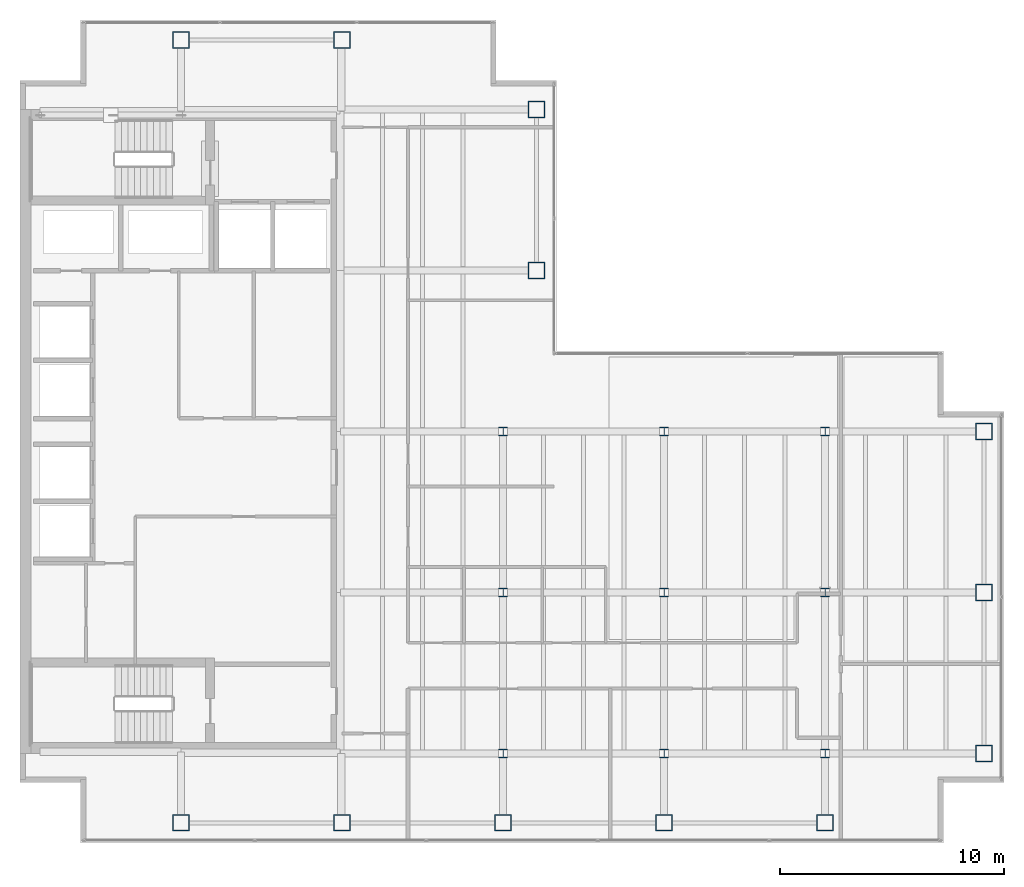
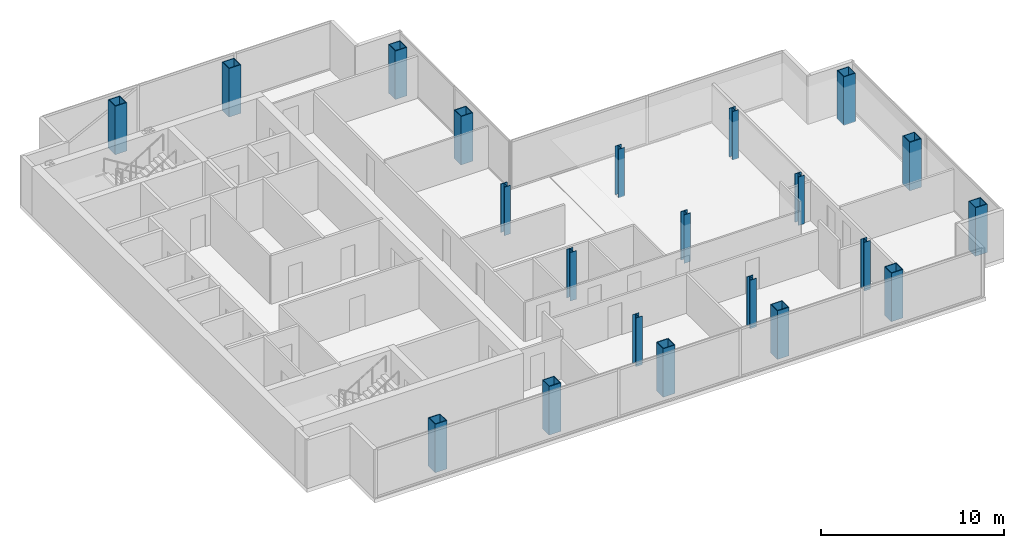
# One storey, part 1 of 23: 21 columns.
"""IFC4 building model written with IfcOpenShell, lengths in metres."""

from ifc_helpers import new_model, si_unit, direction, frame, origin, origin_2d, place, context, subcontext, project, spatial, hollow_rectangle, i_section, extrude, material, material_profile, profile_set, type_object, element, save


model = new_model("IFC4")

# Units and contexts
model_context = context("Model", 3, precision=1e-05, world=origin(), true_north=direction((0.0, 1.0)))
body_context = subcontext(model_context, "Body", "Model", "MODEL_VIEW")
ifc_project = project(units=[si_unit("LENGTHUNIT", "METRE"), si_unit("AREAUNIT", "SQUARE_METRE"), si_unit("VOLUMEUNIT", "CUBIC_METRE"), si_unit("PLANEANGLEUNIT", "RADIAN"), si_unit("MASSUNIT", "GRAM", prefix="KILO")], contexts=[model_context])

# Site, building, storey
site_placement = place(None, origin())
site = spatial("IfcSite", under=ifc_project, at=site_placement, CompositionType="ELEMENT")
building_placement = place(site_placement, origin())
building = spatial("IfcBuilding", under=site, at=building_placement, Name="Cobrela Telecom Tower", CompositionType="ELEMENT")
storey_placement = place(building_placement, frame((0.0, 0.0, 225.75)))
storey = spatial("IfcBuildingStorey", under=building, at=storey_placement, Name="L58", CompositionType="ELEMENT", Elevation=225.75)

# Columns
ifc_material_1 = material(Name="Steel ASTM A992 Grade 50", Category="steel")
ifc_material_profile_1 = material_profile(ifc_material_1, i_section(OverallWidth=0.39892578125, OverallDepth=0.39404296875, WebThickness=0.022705078125, FlangeThickness=0.03662109375, FilletRadius=0.01806640625, at=origin_2d()), Name="W14X193")
ifc_profile_set_1 = profile_set([ifc_material_profile_1], Name="Steel ASTM A992 Grade 50")
column_type_1 = type_object("IfcColumnType", Name="COL-INT-06", PredefinedType="COLUMN", material=ifc_profile_set_1)
for number, where, z_axis, x_axis, name in (
    (1, (21.60009765625, 7.199951171875, 0.0), (0.0, 0.0, 1.0), (1.0, 0.0, 0.0), "L58 Interior Column 06"),
    (2, (21.60009765625, 14.39990234375, 0.0), (0.0, 0.0, 1.0), (1.0, 0.0, 0.0), "L58 Interior Column 07"),
    (3, (21.60009765625, 21.60009765625, 0.0), (0.0, 0.0, 1.0), (1.0, 0.0, 0.0), "L58 Interior Column 08"),
    (4, (28.800048828125, 7.199951171875, 0.0), (0.0, 0.0, 1.0), (1.0, 0.0, 0.0), "L58 Interior Column 12"),
    (5, (28.800048828125, 14.39990234375, 0.0), (0.0, 0.0, 1.0), (1.0, 0.0, 0.0), "L58 Interior Column 13"),
    (6, (28.800048828125, 21.60009765625, 0.0), (0.0, 0.0, 1.0), (1.0, 0.0, 0.0), "L58 Interior Column 14"),
    (7, (36.0, 7.199951171875, 0.0), (0.0, 0.0, 1.0), (1.0, 0.0, 0.0), "L58 Interior Column 16"),
    (8, (36.0, 14.39990234375, 0.0), (0.0, 0.0, 1.0), (1.0, 0.0, 0.0), "L58 Interior Column 17"),
    (9, (36.0, 21.60009765625, 0.0), (0.0, 0.0, 1.0), (1.0, 0.0, 0.0), "L58 Interior Column 18"),
):
    element("IfcColumn", number, at=place(storey_placement, frame(where, z_axis=z_axis, x_axis=x_axis)), inside=storey, type_object=column_type_1, Name=name, PredefinedType="COLUMN", context=body_context, shape_type="SweptSolid", body=[
        extrude(i_section(OverallWidth=0.39892578125, OverallDepth=0.39404296875, WebThickness=0.022705078125, FlangeThickness=0.03662109375, FilletRadius=0.01806640625, at=origin_2d()), origin(), (0.0, 0.0, 1.0), 3.239990234375),
    ])
ifc_material_2 = material(Name="Steel ASTM A572 Grade 50", Category="steel")
ifc_material_profile_2 = material_profile(ifc_material_2, hollow_rectangle(XDim=0.75, YDim=0.75, WallThickness=0.044921875, at=origin_2d()), Name="BOX 750x750x45")
ifc_profile_set_2 = profile_set([ifc_material_profile_2], Name="Steel ASTM A572 Grade 50")
column_type_2 = type_object("IfcColumnType", Name="COL-MEGA-08", PredefinedType="COLUMN", material=ifc_profile_set_2)
for number, where, z_axis, x_axis, name in (
    (10, (7.199951171875, 4.10009765625, 0.0), (0.0, 0.0, 1.0), (1.0, 0.0, 0.0), "L58 Perimeter Mega-Column 01"),
    (11, (7.199951171875, 39.10009765625, 0.0), (0.0, 0.0, 1.0), (1.0, 0.0, 0.0), "L58 Perimeter Mega-Column 02"),
    (12, (14.39990234375, 4.10009765625, 0.0), (0.0, 0.0, 1.0), (1.0, 0.0, 0.0), "L58 Perimeter Mega-Column 03"),
    (13, (14.39990234375, 39.10009765625, 0.0), (0.0, 0.0, 1.0), (1.0, 0.0, 0.0), "L58 Perimeter Mega-Column 04"),
    (14, (21.60009765625, 4.10009765625, 0.0), (0.0, 0.0, 1.0), (1.0, 0.0, 0.0), "L58 Perimeter Mega-Column 05"),
    (15, (23.10009765625, 28.800048828125, 0.0), (0.0, 0.0, 1.0), (1.0, 0.0, 0.0), "L58 Perimeter Mega-Column 09"),
    (16, (23.10009765625, 36.0, 0.0), (0.0, 0.0, 1.0), (1.0, 0.0, 0.0), "L58 Perimeter Mega-Column 10"),
    (17, (28.800048828125, 4.10009765625, 0.0), (0.0, 0.0, 1.0), (1.0, 0.0, 0.0), "L58 Perimeter Mega-Column 11"),
    (18, (36.0, 4.10009765625, 0.0), (0.0, 0.0, 1.0), (1.0, 0.0, 0.0), "L58 Perimeter Mega-Column 15"),
    (19, (43.10009765625, 7.199951171875, 0.0), (0.0, 0.0, 1.0), (1.0, 0.0, 0.0), "L58 Perimeter Mega-Column 19"),
    (20, (43.10009765625, 14.39990234375, 0.0), (0.0, 0.0, 1.0), (1.0, 0.0, 0.0), "L58 Perimeter Mega-Column 20"),
    (21, (43.10009765625, 21.60009765625, 0.0), (0.0, 0.0, 1.0), (1.0, 0.0, 0.0), "L58 Perimeter Mega-Column 21"),
):
    element("IfcColumn", number, at=place(storey_placement, frame(where, z_axis=z_axis, x_axis=x_axis)), inside=storey, type_object=column_type_2, Name=name, PredefinedType="COLUMN", context=body_context, shape_type="SweptSolid", body=[
        extrude(hollow_rectangle(XDim=0.75, YDim=0.75, WallThickness=0.044921875, at=origin_2d()), origin(), (0.0, 0.0, 1.0), 3.239990234375),
    ])

save(model, "model.ifc")
